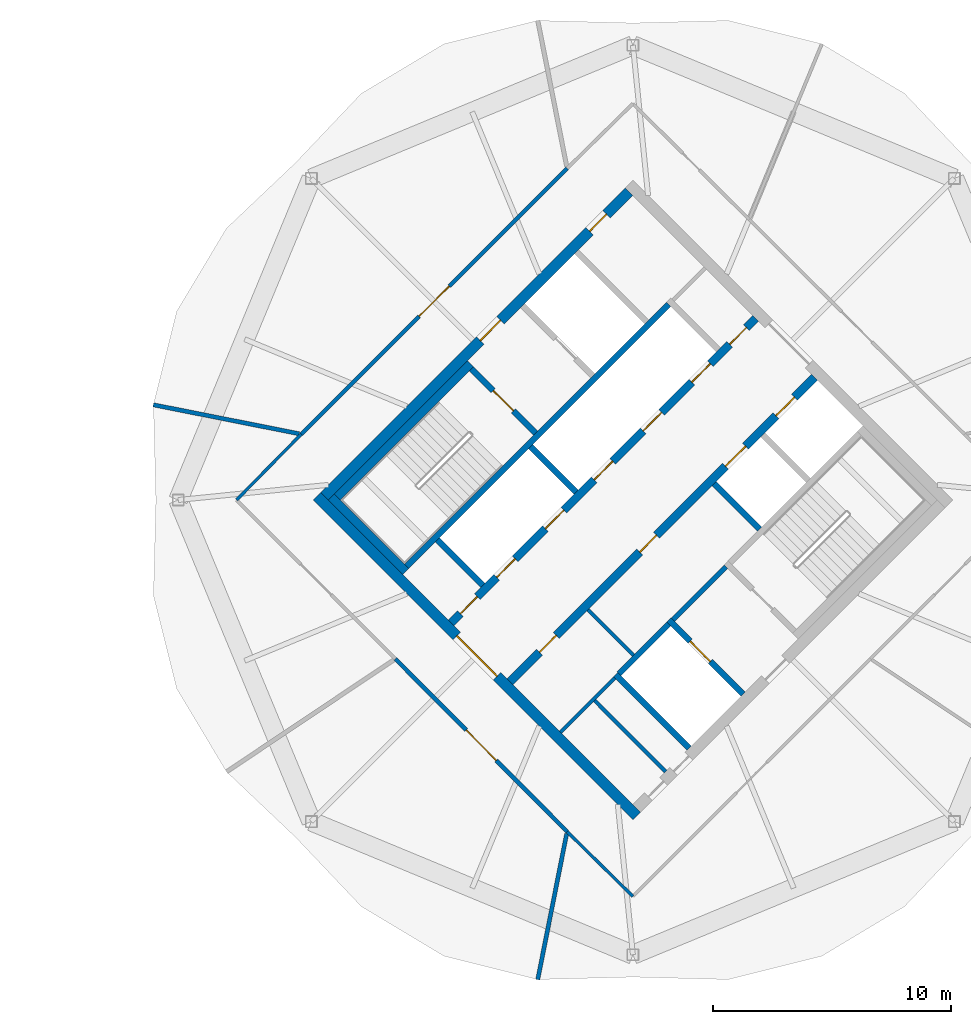
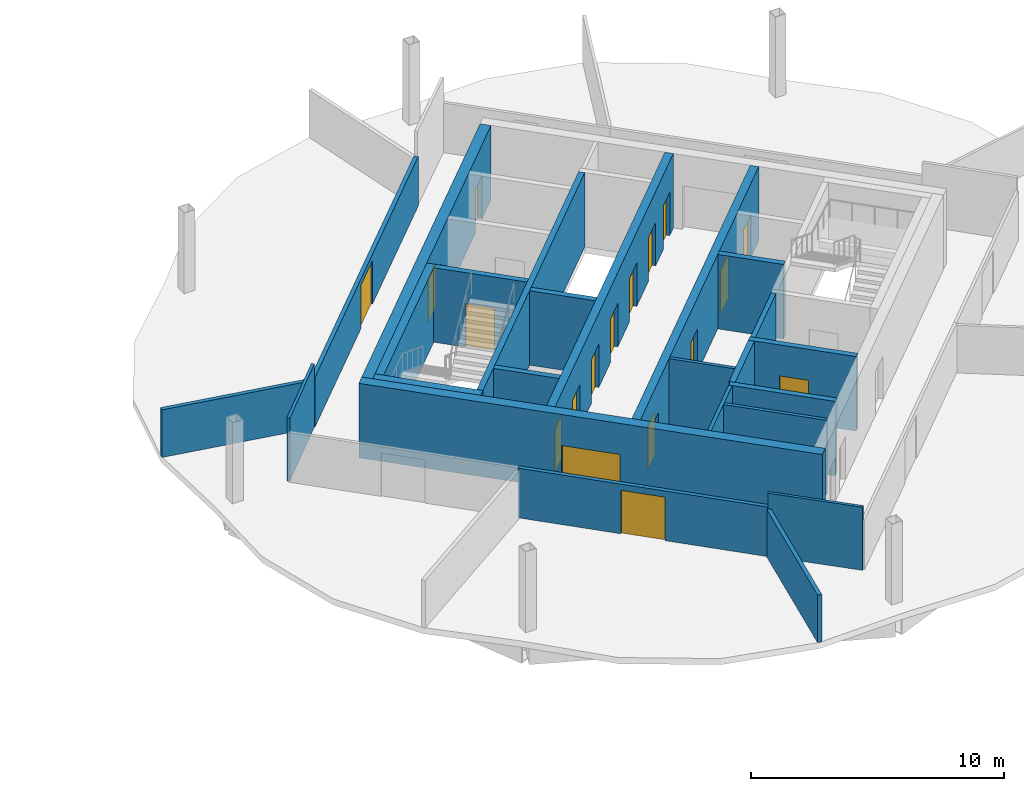
# One storey, part 7 of 10: 24 walls, 18 doors, 18 openings.
"""IFC4 building model written with IfcOpenShell, lengths in metres."""

import ifcopenshell
import ifcopenshell.guid

model = None  # the IFC model being written
_history = None  # IfcOwnerHistory: only IFC2X3 demands one
_inside = {}  # id of a spatial element -> (the spatial element, [elements in it])
_under = {}  # id of a project, library or spatial element -> (it, [spatial elements below it])
_declared = {}  # id of a project -> (the project, [libraries it declares])
_typed = {}  # id of a type object -> (the type object, [elements of that type])
_made_of = {}  # id of a material, layer set ... -> (it, [elements and type objects made of it])


def new_model(schema):
    """Start an empty IFC model of exactly this schema.

    Asked for "IFC4X3", IfcOpenShell would pick the latest addendum, in which some entities
    have other attributes; the version numbers below select the first issue.
    IFC2X3 requires an IfcOwnerHistory on every rooted entity: one is made here for all.
    """
    global model, _history
    if schema == "IFC4X3":
        model = ifcopenshell.file(schema_version=(4, 3, 0, 0))
    else:
        model = ifcopenshell.file(schema=schema)
    _inside.clear()
    _under.clear()
    _declared.clear()
    _typed.clear()
    _made_of.clear()
    _history = None
    if model.schema == "IFC2X3":
        org = make("IfcOrganization", Name="unknown")
        user = make(
            "IfcPersonAndOrganization",
            ThePerson=make("IfcPerson", FamilyName="unknown"),
            TheOrganization=org,
        )
        app = make(
            "IfcApplication",
            ApplicationDeveloper=org,
            Version="unknown",
            ApplicationFullName="unknown",
            ApplicationIdentifier="unknown",
        )
        _history = make(
            "IfcOwnerHistory",
            OwningUser=user,
            OwningApplication=app,
            ChangeAction="ADDED",
            CreationDate=0,
        )
    return model


def make(cls, **values):
    """One entity of the class cls with the attributes given. An attribute that is None is left unset."""
    return model.create_entity(
        cls, **{name: value for name, value in values.items() if value is not None}
    )


def rooted(cls, **values):
    """An entity with a GlobalId (a new one), such as an element, a storey or a relation."""
    return make(cls, GlobalId=ifcopenshell.guid.new(), OwnerHistory=_history, **values)


def si_unit(unit_type, name, prefix=None):
    """IfcSIUnit, for example si_unit("LENGTHUNIT", "METRE", prefix="MILLI")."""
    return make("IfcSIUnit", UnitType=unit_type, Prefix=prefix, Name=name)


def assignment(units):
    """IfcUnitAssignment: the units of a project."""
    return None if units is None else make("IfcUnitAssignment", Units=units)


def point(xyz):
    """IfcCartesianPoint."""
    return None if xyz is None else make("IfcCartesianPoint", Coordinates=xyz)


def direction(xyz):
    """IfcDirection."""
    return None if xyz is None else make("IfcDirection", DirectionRatios=xyz)


def frame(location, z_axis=None, x_axis=None):
    """IfcAxis2Placement3D, a coordinate frame: its origin and axes. An axis left out is left unset."""
    return make(
        "IfcAxis2Placement3D",
        Location=point(location),
        Axis=direction(z_axis),
        RefDirection=direction(x_axis),
    )


def frame_2d(location, x_axis=None):
    """IfcAxis2Placement2D, a coordinate frame in the plane: its origin and x axis."""
    return make(
        "IfcAxis2Placement2D", Location=point(location), RefDirection=direction(x_axis)
    )


def origin():
    """The frame at (0, 0, 0) with its axes left unset."""
    return frame((0.0, 0.0, 0.0))


def place(relative_to, where):
    """IfcLocalPlacement: puts the frame where relative to a parent placement (None: the world)."""
    return make(
        "IfcLocalPlacement", PlacementRelTo=relative_to, RelativePlacement=where
    )


def context(
    kind, dimensions, precision=None, world=None, true_north=None, identifier=None
):
    """IfcGeometricRepresentationContext, for example the 3D "Model" context."""
    return make(
        "IfcGeometricRepresentationContext",
        ContextIdentifier=identifier,
        ContextType=kind,
        CoordinateSpaceDimension=dimensions,
        Precision=precision,
        WorldCoordinateSystem=world,
        TrueNorth=true_north,
    )


def subcontext(parent, identifier, kind, view, scale=None):
    """IfcGeometricRepresentationSubContext, for example "Body" below "Model"."""
    return make(
        "IfcGeometricRepresentationSubContext",
        ContextIdentifier=identifier,
        ContextType=kind,
        ParentContext=parent,
        TargetScale=scale,
        TargetView=view,
    )


def project(units=None, contexts=None):
    """IfcProject with its units and contexts."""
    return rooted(
        "IfcProject",
        Name="project",
        RepresentationContexts=contexts,
        UnitsInContext=assignment(units),
    )


def spatial(cls, under=None, at=None, **own):
    """A site, building, storey or space (cls), placed at a placement, below another one or the project."""
    s = rooted(cls, ObjectPlacement=at, **own)
    if under is not None:
        _under.setdefault(under.id(), (under, []))[1].append(s)
    return s


def profile(cls, at=None, kind="AREA", **sizes):
    """A parametric profile (cls). Its sizes go by their IFC names, for example OverallWidth=200.0."""
    return make(cls, ProfileType=kind, Position=at, **sizes)


def rectangle(**sizes):
    """IfcRectangleProfileDef."""
    return profile("IfcRectangleProfileDef", **sizes)


def extrude(swept, where, along, depth):
    """IfcExtrudedAreaSolid: the profile swept, set in the frame where, extruded along a direction by depth."""
    return make(
        "IfcExtrudedAreaSolid",
        SweptArea=swept,
        Position=where,
        ExtrudedDirection=direction(along),
        Depth=depth,
    )


def shape(context_of_items, identifier, shape_type, items):
    """IfcShapeRepresentation: the items that make up one representation, for example the "Body"."""
    return make(
        "IfcShapeRepresentation",
        ContextOfItems=context_of_items,
        RepresentationIdentifier=identifier,
        RepresentationType=shape_type,
        Items=items,
    )


def material(Name=None, Category=None):
    """IfcMaterial."""
    return make("IfcMaterial", Name=Name, Category=Category)


def layer(
    of_material, thickness, ventilated=None, Name=None, Category=None, Priority=None
):
    """IfcMaterialLayer: one layer of a wall or slab, of a material (None: an air gap)."""
    return make(
        "IfcMaterialLayer",
        Material=of_material,
        LayerThickness=thickness,
        IsVentilated=ventilated,
        Name=Name,
        Category=Category,
        Priority=Priority,
    )


def layer_set(layers, Name=None):
    """IfcMaterialLayerSet."""
    return make("IfcMaterialLayerSet", MaterialLayers=layers, LayerSetName=Name)


def made_of(thing, what):
    """Note that an element or type object is made of a material, layer set ...; save() writes the relation."""
    if what is not None:
        _made_of.setdefault(what.id(), (what, []))[1].append(thing)
    return thing


def type_object(cls, material=None, **own):
    """A type object (cls), such as IfcWallType, which elements share."""
    return made_of(rooted(cls, **own), material)


def element(
    cls,
    number,
    at=None,
    inside=None,
    cuts=None,
    type_object=None,
    material=None,
    context=None,
    identifier="Body",
    shape_type=None,
    held_by="IfcProductDefinitionShape",
    body=None,
    shapes=None,
    **own,
):
    """One element of the class cls, such as IfcWall. Its Tag is "e" and its number.

    at: its placement. inside: the storey or other place that contains it. cuts: it is an
    opening in that element (IfcRelVoidsElement). A single representation is given by context,
    identifier, shape_type and body (its items); several are given by shapes. held_by: the class
    of the entity that holds the representations. save() writes the other relations.
    """
    e = rooted(cls, Tag="e%d" % number, ObjectPlacement=at, **own)
    if body is not None:
        shapes = [shape(context, identifier, shape_type, body)]
    if shapes is not None:
        e.Representation = make(held_by, Representations=shapes)
    if inside is not None:
        _inside.setdefault(inside.id(), (inside, []))[1].append(e)
    if cuts is not None:
        rooted(
            "IfcRelVoidsElement", RelatingBuildingElement=cuts, RelatedOpeningElement=e
        )
    if type_object is not None:
        _typed.setdefault(type_object.id(), (type_object, []))[1].append(e)
    return made_of(e, material)


def fill(opening, filler):
    """IfcRelFillsElement: the door or window that sits in an opening."""
    return rooted(
        "IfcRelFillsElement",
        RelatingOpeningElement=opening,
        RelatedBuildingElement=filler,
    )


def aggregate(whole, parts):
    """IfcRelAggregates: a whole, such as a stair, and the parts it consists of."""
    return rooted("IfcRelAggregates", RelatingObject=whole, RelatedObjects=parts)


def save(model, path):
    """Write the relations noted so far, then the file.

    IfcRelAggregates (storeys below a building ...), IfcRelContainedInSpatialStructure (elements
    in a storey), IfcRelDefinesByType, IfcRelAssociatesMaterial and IfcRelDeclares: one each for
    every whole, place, type object, material and project.
    """
    for whole, parts in _under.values():
        aggregate(whole, parts)
    for where, things in _inside.values():
        rooted(
            "IfcRelContainedInSpatialStructure",
            RelatedElements=things,
            RelatingStructure=where,
        )
    for kind, things in _typed.values():
        rooted("IfcRelDefinesByType", RelatedObjects=things, RelatingType=kind)
    for what, things in _made_of.values():
        rooted("IfcRelAssociatesMaterial", RelatedObjects=things, RelatingMaterial=what)
    for by, libraries in _declared.values():
        rooted("IfcRelDeclares", RelatingContext=by, RelatedDefinitions=libraries)
    model.write(path)


model = new_model("IFC4")

# Units and contexts
model_context = context("Model", 3, precision=1e-05, world=origin(), true_north=direction((0.0, 1.0)))
body_context = subcontext(model_context, "Body", "Model", "MODEL_VIEW")
ifc_project = project(units=[si_unit("LENGTHUNIT", "METRE"), si_unit("AREAUNIT", "SQUARE_METRE"), si_unit("VOLUMEUNIT", "CUBIC_METRE"), si_unit("PLANEANGLEUNIT", "RADIAN"), si_unit("MASSUNIT", "GRAM", prefix="KILO")], contexts=[model_context])

# Site, building, storey
site_placement = place(None, origin())
site = spatial("IfcSite", under=ifc_project, at=site_placement, CompositionType="ELEMENT")
building_placement = place(site_placement, origin())
building = spatial("IfcBuilding", under=site, at=building_placement, Name="Ogive Gate Towers", CompositionType="ELEMENT")
storey_placement = place(building_placement, frame((0.0, 0.0, 232.800048828125)))
storey = spatial("IfcBuildingStorey", under=building, at=storey_placement, Name="L55", CompositionType="ELEMENT", Elevation=232.800048828125)

# Walls
ifc_material_1 = material(Name="Gypsum board acoustic partition")
ifc_layer_1 = layer(ifc_material_1, 0.175048828125)
ifc_layer_set_1 = layer_set([ifc_layer_1], Name="Acoustic partition 175")
wall_type_1 = type_object("IfcWallType", Name="Acoustic partition 175", PredefinedType="PARTITIONING", material=ifc_layer_set_1)
for number, where, z_axis, x_axis, name in (
    (1, (15.843505859375, 4.00048828125, 0.0), (0.0, 0.0, 1.0), (0.98086799922, -0.194674004702, 0.0), "Partition T2-L55-004"),
    (2, (31.99951171875, -20.156494140625, 0.0), (0.0, 0.0, 1.0), (0.194674004702, 0.98086799922, 0.0), "Partition T2-L55-006"),
):
    element("IfcWall", number, at=place(storey_placement, frame(where, z_axis=z_axis, x_axis=x_axis)), inside=storey, type_object=wall_type_1, Name=name, PredefinedType="PARTITIONING", context=body_context, shape_type="SweptSolid", body=[
        extrude(rectangle(XDim=6.251708984375, YDim=0.175048828125, at=frame_2d((3.1259765625, 0.0))), origin(), (0.0, 0.0, 1.0), 2.300048828125),
    ])

# Wall, opening, door
wall_1_placement = place(storey_placement, frame((26.0166015625, -6.677001953125, 0.0), z_axis=(0.0, 0.0, 1.0), x_axis=(0.704921475194, -0.70928535429, 0.0)))
wall_1 = element("IfcWall", 3, at=wall_1_placement, inside=storey, type_object=wall_type_1, Name="Partition T2-L55-010", PredefinedType="PARTITIONING", context=body_context, shape_type="SweptSolid", body=[
    extrude(rectangle(XDim=10.238037109375, YDim=0.175048828125, at=frame_2d((5.119140625, 0.0))), origin(), (0.0, 0.0, 1.0), 2.39990234375),
])
opening_1_placement = place(wall_1_placement, frame((4.218994140625, 0.0, 0.0)))
opening_1 = element("IfcOpeningElement", 4, at=opening_1_placement, cuts=wall_1, Name="Opening T2-L55-D02", PredefinedType="OPENING", context=body_context, shape_type="SweptSolid", body=[
    extrude(rectangle(XDim=1.800048828125, YDim=2.10009765625, at=frame_2d((0.89990234375, 1.050048828125))), frame((0.0, 0.09765625, 0.0), z_axis=(0.0, -1.0, 0.0), x_axis=(1.0, 0.0, 0.0)), (0.0, 0.0, 1.0), 0.195068359375),
])
ifc_material_2 = material(Name="Timber door", Category="wood")
door_type_1 = type_object("IfcDoorType", Name="Door pair 1800", OperationType="NOTDEFINED", PredefinedType="DOOR", material=ifc_material_2)
door_1_placement = place(opening_1_placement, origin())
door_1 = element("IfcDoor", 5, at=door_1_placement, inside=storey, type_object=door_type_1, Name="Door T2-L55-D02", OperationType="DOUBLE_DOOR_DOUBLE_SWING", OverallHeight=2.10009765625, OverallWidth=1.800048828125, PredefinedType="DOOR", context=body_context, shape_type="SweptSolid", body=[
    extrude(rectangle(XDim=1.800048828125, YDim=2.10009765625, at=frame_2d((0.89990234375, 1.050048828125))), frame((0.0, 0.02490234375, 0.0), z_axis=(0.0, -1.0, 0.0), x_axis=(1.0, 0.0, 0.0)), (0.0, 0.0, 1.0), 0.050048828125),
])
fill(opening_1, door_1)

wall_2_placement = place(storey_placement, frame((33.233642578125, 13.938720703125, 0.0), z_axis=(0.0, 0.0, 1.0), x_axis=(-0.707106781187, -0.707106781187, 0.0)))
wall_2 = element("IfcWall", 6, at=wall_2_placement, inside=storey, type_object=wall_type_1, Name="Partition T2-L55-018", PredefinedType="PARTITIONING", context=body_context, shape_type="SweptSolid", body=[
    extrude(rectangle(XDim=15.800048828125, YDim=0.175048828125, at=frame_2d((7.89990234375, 0.0))), origin(), (0.0, 0.0, 1.0), 2.39990234375),
])
opening_2_placement = place(wall_2_placement, frame((7.0, 0.0, 0.0)))
opening_2 = element("IfcOpeningElement", 7, at=opening_2_placement, cuts=wall_2, Name="Opening T2-L55-D07", PredefinedType="OPENING", context=body_context, shape_type="SweptSolid", body=[
    extrude(rectangle(XDim=1.800048828125, YDim=2.10009765625, at=frame_2d((0.89990234375, 1.050048828125))), frame((0.0, 0.09765625, 0.0), z_axis=(0.0, -1.0, 0.0), x_axis=(1.0, 0.0, 0.0)), (0.0, 0.0, 1.0), 0.195068359375),
])
door_2_placement = place(opening_2_placement, origin())
door_2 = element("IfcDoor", 8, at=door_2_placement, inside=storey, type_object=door_type_1, Name="Door T2-L55-D07", OperationType="DOUBLE_DOOR_DOUBLE_SWING", OverallHeight=2.10009765625, OverallWidth=1.800048828125, PredefinedType="DOOR", context=body_context, shape_type="SweptSolid", body=[
    extrude(rectangle(XDim=1.800048828125, YDim=2.10009765625, at=frame_2d((0.89990234375, 1.050048828125))), frame((0.0, 0.02490234375, 0.0), z_axis=(0.0, -1.0, 0.0), x_axis=(1.0, 0.0, 0.0)), (0.0, 0.0, 1.0), 0.050048828125),
])
fill(opening_2, door_2)

# Wall
ifc_material_3 = material(Name="Masonry blockwork", Category="masonry")
ifc_layer_2 = layer(ifc_material_3, 0.199951171875)
ifc_layer_set_2 = layer_set([ifc_layer_2], Name="Blockwork wall 200 mm")
wall_type_2 = type_object("IfcWallType", Name="Blockwork wall 200 mm", PredefinedType="PARTITIONING", material=ifc_layer_set_2)
wall_3_placement = place(storey_placement, frame((37.679443359375, -5.0380859375, 0.0), z_axis=(0.0, 0.0, 1.0), x_axis=(0.707106781187, 0.707106781187, 0.0)))
element("IfcWall", 9, at=wall_3_placement, inside=storey, type_object=wall_type_2, Name="T2 L55 Blockwork wall 200 mm", PredefinedType="PARTITIONING", context=body_context, shape_type="SweptSolid", body=[
    extrude(rectangle(XDim=3.14990234375, YDim=0.199951171875, at=frame_2d((1.574951171875, 0.0))), origin(), (0.0, 0.0, 1.0), 3.599853515625),
])

# Wall, openings, doors
ifc_material_4 = material(Name="Concrete C60/75", Category="concrete")
ifc_layer_3 = layer(ifc_material_4, 0.449951171875)
ifc_layer_set_3 = layer_set([ifc_layer_3], Name="Core wall 450 mm")
wall_type_3 = type_object("IfcWallType", Name="Core wall 450 mm", PredefinedType="SHEAR", material=ifc_layer_set_3)
wall_4_placement = place(storey_placement, frame((23.042236328125, 0.1591796875, 0.0), z_axis=(0.0, 0.0, 1.0), x_axis=(0.707106781187, 0.707106781187, 0.0)))
wall_4 = element("IfcWall", 10, at=wall_4_placement, inside=storey, type_object=wall_type_3, Name="T2 L55 Core wall 450 mm", PredefinedType="SHEAR", context=body_context, shape_type="SweptSolid", body=[
    extrude(rectangle(XDim=18.099853515625, YDim=0.449951171875, at=frame_2d((9.0498046875, 0.0))), origin(), (0.0, 0.0, 1.0), 3.599853515625),
])
opening_3_placement = place(wall_4_placement, frame((9.25, 0.0, 0.0)))
opening_3 = element("IfcOpeningElement", 11, at=opening_3_placement, cuts=wall_4, Name="Opening KD-T2-L55-18", PredefinedType="OPENING", context=body_context, shape_type="SweptSolid", body=[
    extrude(rectangle(XDim=1.199951171875, YDim=2.10009765625, at=frame_2d((0.60009765625, 1.050048828125))), frame((0.0, 0.23486328125, 0.0), z_axis=(0.0, -1.0, 0.0), x_axis=(1.0, 0.0, 0.0)), (0.0, 0.0, 1.0), 0.469970703125),
])
opening_4_placement = place(wall_4_placement, frame((15.75, 0.0, 0.0)))
opening_4 = element("IfcOpeningElement", 12, at=opening_4_placement, cuts=wall_4, Name="Opening KD-T2-L55-20", PredefinedType="OPENING", context=body_context, shape_type="SweptSolid", body=[
    extrude(rectangle(XDim=1.0, YDim=2.10009765625, at=frame_2d((0.5, 1.050048828125))), frame((0.0, 0.23486328125, 0.0), z_axis=(0.0, -1.0, 0.0), x_axis=(1.0, 0.0, 0.0)), (0.0, 0.0, 1.0), 0.469970703125),
])
door_type_2 = type_object("IfcDoorType", Name="Accessible WC door 1000 x 2100", OperationType="NOTDEFINED", PredefinedType="DOOR", material=ifc_material_2)
door_3_placement = place(opening_4_placement, origin())
door_3 = element("IfcDoor", 13, at=door_3_placement, inside=storey, type_object=door_type_2, Name="T2 L55 Core door", OperationType="SINGLE_SWING_LEFT", OverallHeight=2.10009765625, OverallWidth=1.0, PredefinedType="DOOR", context=body_context, shape_type="SweptSolid", body=[
    extrude(rectangle(XDim=1.0, YDim=2.10009765625, at=frame_2d((0.5, 1.050048828125))), frame((0.0, 0.02490234375, 0.0), z_axis=(0.0, -1.0, 0.0), x_axis=(1.0, 0.0, 0.0)), (0.0, 0.0, 1.0), 0.050048828125),
])
fill(opening_4, door_3)
ifc_material_5 = material(Name="Steel fire door", Category="steel")
door_type_3 = type_object("IfcDoorType", Name="Core door FD60S 1200 x 2100", OperationType="NOTDEFINED", PredefinedType="DOOR", material=ifc_material_5)
door_4_placement = place(opening_3_placement, origin())
door_4 = element("IfcDoor", 14, at=door_4_placement, inside=storey, type_object=door_type_3, Name="T2 L55 Fire-fighting lobby door", OperationType="SINGLE_SWING_LEFT", OverallHeight=2.10009765625, OverallWidth=1.199951171875, PredefinedType="DOOR", context=body_context, shape_type="SweptSolid", body=[
    extrude(rectangle(XDim=1.199951171875, YDim=2.10009765625, at=frame_2d((0.60009765625, 1.050048828125))), frame((0.0, 0.02490234375, 0.0), z_axis=(0.0, -1.0, 0.0), x_axis=(1.0, 0.0, 0.0)), (0.0, 0.0, 1.0), 0.050048828125),
])
fill(opening_3, door_4)

# Wall, opening, door
wall_5_placement = place(storey_placement, frame((36.1591796875, -13.27587890625, 0.0), z_axis=(0.0, 0.0, 1.0), x_axis=(-0.707106781187, 0.707106781187, 0.0)))
wall_5 = element("IfcWall", 15, at=wall_5_placement, inside=storey, type_object=wall_type_3, Name="T2 L55 Core wall 450 mm", PredefinedType="SHEAR", context=body_context, shape_type="SweptSolid", body=[
    extrude(rectangle(XDim=19.0, YDim=0.449951171875, at=frame_2d((9.5, 0.0))), origin(), (0.0, 0.0, 1.0), 3.599853515625),
])
opening_5_placement = place(wall_5_placement, frame((8.300048828125, 0.0, 0.0)))
opening_5 = element("IfcOpeningElement", 16, at=opening_5_placement, cuts=wall_5, Name="Opening KD-T2-L55-01", PredefinedType="OPENING", context=body_context, shape_type="SweptSolid", body=[
    extrude(rectangle(XDim=2.39990234375, YDim=2.10009765625, at=frame_2d((1.199951171875, 1.050048828125))), frame((0.0, 0.23486328125, 0.0), z_axis=(0.0, -1.0, 0.0), x_axis=(1.0, 0.0, 0.0)), (0.0, 0.0, 1.0), 0.469970703125),
])
door_type_4 = type_object("IfcDoorType", Name="Core double door FD60S 2400 x 2100", OperationType="DOUBLE_DOOR_SINGLE_SWING", PredefinedType="DOOR", material=ifc_material_5)
door_5_placement = place(opening_5_placement, origin())
door_5 = element("IfcDoor", 17, at=door_5_placement, inside=storey, type_object=door_type_4, Name="T2 L55 Core door double", OperationType="DOUBLE_DOOR_SINGLE_SWING", OverallHeight=2.10009765625, OverallWidth=2.39990234375, PredefinedType="DOOR", context=body_context, shape_type="SweptSolid", body=[
    extrude(rectangle(XDim=2.39990234375, YDim=2.10009765625, at=frame_2d((1.199951171875, 1.050048828125))), frame((0.0, 0.02490234375, 0.0), z_axis=(0.0, -1.0, 0.0), x_axis=(1.0, 0.0, 0.0)), (0.0, 0.0, 1.0), 0.050048828125),
])
fill(opening_5, door_5)

# Walls
ifc_material_6 = material(Name="Gypsum board partition")
ifc_layer_4 = layer(ifc_material_6, 0.125)
ifc_layer_set_4 = layer_set([ifc_layer_4], Name="Partition 125")
wall_type_4 = type_object("IfcWallType", Name="Partition 125", PredefinedType="PARTITIONING", material=ifc_layer_set_4)
for number, where, z_axis, x_axis, name in (
    (18, (22.061279296875, 2.766357421875, 0.0), (0.0, 0.0, 1.0), (-0.701199130072, -0.712965483026, 0.0), "Partition T2-L55-009"),
    (19, (33.233642578125, -13.938720703125, 0.0), (0.0, 0.0, 1.0), (0.712965483026, -0.701199130072, 0.0), "Partition T2-L55-012"),
):
    element("IfcWall", number, at=place(storey_placement, frame(where, z_axis=z_axis, x_axis=x_axis)), inside=storey, type_object=wall_type_4, Name=name, PredefinedType="PARTITIONING", context=body_context, shape_type="SweptSolid", body=[
        extrude(rectangle(XDim=3.880126953125, YDim=0.125, at=frame_2d((1.93994140625, 0.0))), origin(), (0.0, 0.0, 1.0), 3.050048828125),
    ])
ifc_layer_5 = layer(ifc_material_6, 0.14990234375)
ifc_layer_set_5 = layer_set([ifc_layer_5], Name="Room partition 150 mm")
wall_type_5 = type_object("IfcWallType", Name="Room partition 150 mm", PredefinedType="PARTITIONING", material=ifc_layer_set_5)
wall_6_placement = place(storey_placement, frame((32.95947265625, -9.758056640625, 0.0), z_axis=(0.0, 0.0, 1.0), x_axis=(0.707144631829, 0.707068928518, 0.0)))
element("IfcWall", 20, at=wall_6_placement, inside=storey, type_object=wall_type_5, Name="T2 L55 Room partition 150 mm", PredefinedType="PARTITIONING", context=body_context, shape_type="SweptSolid", body=[
    extrude(rectangle(XDim=3.224853515625, YDim=0.14990234375, at=frame_2d((1.6123046875, 0.0))), origin(), (0.0, 0.0, 1.0), 3.599853515625),
])
wall_7_placement = place(storey_placement, frame((37.37890625, -11.419921875, 0.0), z_axis=(0.0, 0.0, 1.0), x_axis=(-0.707077889614, 0.707135671578, 0.0)))
element("IfcWall", 21, at=wall_7_placement, inside=storey, type_object=wall_type_5, Name="T2 L55 Room partition 150 mm", PredefinedType="PARTITIONING", context=body_context, shape_type="SweptSolid", body=[
    extrude(rectangle(XDim=4.22509765625, YDim=0.14990234375, at=frame_2d((2.112548828125, 0.0))), origin(), (0.0, 0.0, 1.0), 3.599853515625),
])
wall_8_placement = place(storey_placement, frame((36.017578125, -6.523193359375, 0.0), z_axis=(0.0, 0.0, 1.0), x_axis=(-0.707106781187, 0.707106781187, 0.0)))
element("IfcWall", 22, at=wall_8_placement, inside=storey, type_object=wall_type_5, Name="T2 L55 Room partition 150 mm", PredefinedType="PARTITIONING", context=body_context, shape_type="SweptSolid", body=[
    extrude(rectangle(XDim=2.699951171875, YDim=0.14990234375, at=frame_2d((1.35009765625, 0.0))), origin(), (0.0, 0.0, 1.0), 3.599853515625),
])
ifc_layer_6 = layer(ifc_material_4, 0.25)
ifc_layer_set_6 = layer_set([ifc_layer_6], Name="Shaft wall 250 mm")
wall_type_6 = type_object("IfcWallType", Name="Shaft wall 250 mm", PredefinedType="SHEAR", material=ifc_layer_set_6)
wall_9_placement = place(storey_placement, frame((35.41650390625, -7.30078125, 0.0), z_axis=(0.0, 0.0, 1.0), x_axis=(0.707148157867, 0.707065402085, 0.0)))
element("IfcWall", 23, at=wall_9_placement, inside=storey, type_object=wall_type_6, Name="T2 L55 Shaft wall 250 mm", PredefinedType="SHEAR", context=body_context, shape_type="SweptSolid", body=[
    extrude(rectangle(XDim=2.9501953125, YDim=0.25, at=frame_2d((1.47509765625, 0.0))), origin(), (0.0, 0.0, 1.0), 3.599853515625),
])
wall_10_placement = place(storey_placement, frame((26.489501953125, -2.793212890625, 0.0), z_axis=(0.0, 0.0, 1.0), x_axis=(0.707098943647, 0.70711461864, 0.0)))
element("IfcWall", 24, at=wall_10_placement, inside=storey, type_object=wall_type_6, Name="T2 L55 Shaft wall 250 mm", PredefinedType="SHEAR", context=body_context, shape_type="SweptSolid", body=[
    extrude(rectangle(XDim=15.5751953125, YDim=0.25, at=frame_2d((7.78759765625, 0.0))), origin(), (0.0, 0.0, 1.0), 3.599853515625),
])
wall_11_placement = place(storey_placement, frame((29.689208984375, -3.588623046875, 0.0), z_axis=(0.0, 0.0, 1.0), x_axis=(-0.707151988282, 0.707061571201, 0.0)))
element("IfcWall", 25, at=wall_11_placement, inside=storey, type_object=wall_type_6, Name="T2 L55 Shaft wall 250 mm", PredefinedType="SHEAR", context=body_context, shape_type="SweptSolid", body=[
    extrude(rectangle(XDim=2.7001953125, YDim=0.25, at=frame_2d((1.35009765625, 0.0))), origin(), (0.0, 0.0, 1.0), 3.599853515625),
])
wall_12_placement = place(storey_placement, frame((38.368896484375, -10.4296875, 0.0), z_axis=(0.0, 0.0, 1.0), x_axis=(-0.707134682099, 0.707078879173, 0.0)))
element("IfcWall", 26, at=wall_12_placement, inside=storey, type_object=wall_type_6, Name="T2 L55 Shaft wall 250 mm", PredefinedType="SHEAR", context=body_context, shape_type="SweptSolid", body=[
    extrude(rectangle(XDim=4.375, YDim=0.25, at=frame_2d((2.1875, 0.0))), origin(), (0.0, 0.0, 1.0), 3.599853515625),
])

# Wall, opening, door
wall_13_placement = place(storey_placement, frame((40.631591796875, -8.1669921875, 0.0), z_axis=(0.0, 0.0, 1.0), x_axis=(-0.707106781187, 0.707106781187, 0.0)))
wall_13 = element("IfcWall", 27, at=wall_13_placement, inside=storey, type_object=wall_type_6, Name="T2 L55 Shaft wall 250 mm", PredefinedType="SHEAR", context=body_context, shape_type="SweptSolid", body=[
    extrude(rectangle(XDim=4.425048828125, YDim=0.25, at=frame_2d((2.21240234375, 0.0))), origin(), (0.0, 0.0, 1.0), 3.599853515625),
])
opening_6_placement = place(wall_13_placement, frame((1.949951171875, 0.0, 0.0)))
opening_6 = element("IfcOpeningElement", 28, at=opening_6_placement, cuts=wall_13, Name="Opening LD-T2-L55-13", PredefinedType="OPENING", context=body_context, shape_type="SweptSolid", body=[
    extrude(rectangle(XDim=1.199951171875, YDim=2.10009765625, at=frame_2d((0.60009765625, 1.050048828125))), frame((0.0, 0.135009765625, 0.0), z_axis=(0.0, -1.0, 0.0), x_axis=(1.0, 0.0, 0.0)), (0.0, 0.0, 1.0), 0.27001953125),
])
ifc_material_7 = material(Name="Stainless steel landing door", Category="steel")
door_type_5 = type_object("IfcDoorType", Name="Landing door 1200 x 2100", OperationType="SLIDING_TO_LEFT", PredefinedType="DOOR", material=ifc_material_7)
door_6_placement = place(opening_6_placement, origin())
door_6 = element("IfcDoor", 29, at=door_6_placement, inside=storey, type_object=door_type_5, Name="T2 L55 Lift landing door FF2", OperationType="SLIDING_TO_LEFT", OverallHeight=2.10009765625, OverallWidth=1.199951171875, PredefinedType="DOOR", context=body_context, shape_type="SweptSolid", body=[
    extrude(rectangle(XDim=1.199951171875, YDim=2.10009765625, at=frame_2d((0.60009765625, 1.050048828125))), frame((0.0, 0.02490234375, 0.0), z_axis=(0.0, -1.0, 0.0), x_axis=(1.0, 0.0, 0.0)), (0.0, 0.0, 1.0), 0.050048828125),
])
fill(opening_6, door_6)

# Wall
wall_14_placement = place(storey_placement, frame((33.613525390625, 0.3359375, 0.0), z_axis=(0.0, 0.0, 1.0), x_axis=(-0.707106781187, 0.707106781187, 0.0)))
element("IfcWall", 30, at=wall_14_placement, inside=storey, type_object=wall_type_6, Name="T2 L55 Shaft wall 250 mm", PredefinedType="SHEAR", context=body_context, shape_type="SweptSolid", body=[
    extrude(rectangle(XDim=2.699951171875, YDim=0.25, at=frame_2d((1.35009765625, 0.0))), origin(), (0.0, 0.0, 1.0), 3.599853515625),
])

# Wall, opening, door
wall_15_placement = place(storey_placement, frame((31.91650390625, 2.810791015625, 0.0), z_axis=(0.0, 0.0, 1.0), x_axis=(-0.707106781187, 0.707106781187, 0.0)))
wall_15 = element("IfcWall", 31, at=wall_15_placement, inside=storey, type_object=wall_type_6, Name="T2 L55 Shaft wall 250 mm", PredefinedType="SHEAR", context=body_context, shape_type="SweptSolid", body=[
    extrude(rectangle(XDim=3.824951171875, YDim=0.25, at=frame_2d((1.91259765625, 0.0))), origin(), (0.0, 0.0, 1.0), 3.599853515625),
])
opening_7_placement = place(wall_15_placement, frame((1.324951171875, 0.0, 0.0)))
opening_7 = element("IfcOpeningElement", 32, at=opening_7_placement, cuts=wall_15, Name="Opening KD-T2-L55-16", PredefinedType="OPENING", context=body_context, shape_type="SweptSolid", body=[
    extrude(rectangle(XDim=1.199951171875, YDim=2.10009765625, at=frame_2d((0.60009765625, 1.050048828125))), frame((0.0, 0.135009765625, 0.0), z_axis=(0.0, -1.0, 0.0), x_axis=(1.0, 0.0, 0.0)), (0.0, 0.0, 1.0), 0.27001953125),
])
door_7_placement = place(opening_7_placement, origin())
door_7 = element("IfcDoor", 33, at=door_7_placement, inside=storey, type_object=door_type_3, Name="T2 L55 Stair door", OperationType="SINGLE_SWING_LEFT", OverallHeight=2.10009765625, OverallWidth=1.199951171875, PredefinedType="DOOR", context=body_context, shape_type="SweptSolid", body=[
    extrude(rectangle(XDim=1.199951171875, YDim=2.10009765625, at=frame_2d((0.60009765625, 1.050048828125))), frame((0.0, 0.02490234375, 0.0), z_axis=(0.0, -1.0, 0.0), x_axis=(1.0, 0.0, 0.0)), (0.0, 0.0, 1.0), 0.050048828125),
])
fill(opening_7, door_7)

# Wall
wall_16_placement = place(storey_placement, frame((41.321044921875, -1.2197265625, 0.0), z_axis=(0.0, 0.0, 1.0), x_axis=(-0.707106781187, 0.707106781187, 0.0)))
element("IfcWall", 34, at=wall_16_placement, inside=storey, type_object=wall_type_6, Name="T2 L55 Shaft wall 250 mm", PredefinedType="SHEAR", context=body_context, shape_type="SweptSolid", body=[
    extrude(rectangle(XDim=2.699951171875, YDim=0.25, at=frame_2d((1.35009765625, 0.0))), origin(), (0.0, 0.0, 1.0), 3.599853515625),
])

# Wall, openings, doors
ifc_layer_7 = layer(ifc_material_4, 0.35009765625)
ifc_layer_set_7 = layer_set([ifc_layer_7], Name="Spine wall 350 mm")
wall_type_7 = type_object("IfcWallType", Name="Spine wall 350 mm", PredefinedType="SHEAR", material=ifc_layer_set_7)
wall_17_placement = place(storey_placement, frame((30.838134765625, -7.63671875, 0.0), z_axis=(0.0, 0.0, 1.0), x_axis=(0.707106781187, 0.707106781187, 0.0)))
wall_17 = element("IfcWall", 35, at=wall_17_placement, inside=storey, type_object=wall_type_7, Name="T2 L55 Spine wall 350 mm", PredefinedType="SHEAR", context=body_context, shape_type="SweptSolid", body=[
    extrude(rectangle(XDim=18.099853515625, YDim=0.35009765625, at=frame_2d((9.0498046875, 0.0))), origin(), (0.0, 0.0, 1.0), 3.599853515625),
])
opening_8_placement = place(wall_17_placement, frame((12.800048828125, 0.0, 0.0)))
opening_8 = element("IfcOpeningElement", 36, at=opening_8_placement, cuts=wall_17, Name="Opening LD-T2-L55-10", PredefinedType="OPENING", context=body_context, shape_type="SweptSolid", body=[
    extrude(rectangle(XDim=1.199951171875, YDim=2.10009765625, at=frame_2d((0.60009765625, 1.050048828125))), frame((0.0, 0.18505859375, 0.0), z_axis=(0.0, -1.0, 0.0), x_axis=(1.0, 0.0, 0.0)), (0.0, 0.0, 1.0), 0.3701171875),
])
opening_9_placement = place(wall_17_placement, frame((15.800048828125, 0.0, 0.0)))
opening_9 = element("IfcOpeningElement", 37, at=opening_9_placement, cuts=wall_17, Name="Opening LD-T2-L55-11", PredefinedType="OPENING", context=body_context, shape_type="SweptSolid", body=[
    extrude(rectangle(XDim=1.10009765625, YDim=2.10009765625, at=frame_2d((0.550048828125, 1.050048828125))), frame((0.0, 0.18505859375, 0.0), z_axis=(0.0, -1.0, 0.0), x_axis=(1.0, 0.0, 0.0)), (0.0, 0.0, 1.0), 0.3701171875),
])
opening_10_placement = place(wall_17_placement, frame((1.75, 0.0, 0.0)))
opening_10 = element("IfcOpeningElement", 38, at=opening_10_placement, cuts=wall_17, Name="Opening KD-T2-L55-14", PredefinedType="OPENING", context=body_context, shape_type="SweptSolid", body=[
    extrude(rectangle(XDim=1.0, YDim=2.10009765625, at=frame_2d((0.5, 1.050048828125))), frame((0.0, 0.18505859375, 0.0), z_axis=(0.0, -1.0, 0.0), x_axis=(1.0, 0.0, 0.0)), (0.0, 0.0, 1.0), 0.3701171875),
])
opening_11_placement = place(wall_17_placement, frame((7.699951171875, 0.0, 0.0)))
opening_11 = element("IfcOpeningElement", 39, at=opening_11_placement, cuts=wall_17, Name="Opening KD-T2-L55-15", PredefinedType="OPENING", context=body_context, shape_type="SweptSolid", body=[
    extrude(rectangle(XDim=1.0, YDim=2.10009765625, at=frame_2d((0.5, 1.050048828125))), frame((0.0, 0.18505859375, 0.0), z_axis=(0.0, -1.0, 0.0), x_axis=(1.0, 0.0, 0.0)), (0.0, 0.0, 1.0), 0.3701171875),
])
door_type_6 = type_object("IfcDoorType", Name="Core door FD60S 1000 x 2100", OperationType="NOTDEFINED", PredefinedType="DOOR", material=ifc_material_5)
door_8_placement = place(opening_10_placement, origin())
door_8 = element("IfcDoor", 40, at=door_8_placement, inside=storey, type_object=door_type_6, Name="T2 L55 Core door", OperationType="SINGLE_SWING_LEFT", OverallHeight=2.10009765625, OverallWidth=1.0, PredefinedType="DOOR", context=body_context, shape_type="SweptSolid", body=[
    extrude(rectangle(XDim=1.0, YDim=2.10009765625, at=frame_2d((0.5, 1.050048828125))), frame((0.0, 0.02490234375, 0.0), z_axis=(0.0, -1.0, 0.0), x_axis=(1.0, 0.0, 0.0)), (0.0, 0.0, 1.0), 0.050048828125),
])
fill(opening_10, door_8)
door_9_placement = place(opening_11_placement, origin())
door_9 = element("IfcDoor", 41, at=door_9_placement, inside=storey, type_object=door_type_6, Name="T2 L55 Core door", OperationType="SINGLE_SWING_RIGHT", OverallHeight=2.10009765625, OverallWidth=1.0, PredefinedType="DOOR", context=body_context, shape_type="SweptSolid", body=[
    extrude(rectangle(XDim=1.0, YDim=2.10009765625, at=frame_2d((0.5, 1.050048828125))), frame((0.0, 0.02490234375, 0.0), z_axis=(0.0, -1.0, 0.0), x_axis=(1.0, 0.0, 0.0)), (0.0, 0.0, 1.0), 0.050048828125),
])
fill(opening_11, door_9)
door_type_7 = type_object("IfcDoorType", Name="Landing door 1100 x 2100", OperationType="SLIDING_TO_LEFT", PredefinedType="DOOR", material=ifc_material_7)
door_10_placement = place(opening_9_placement, origin())
door_10 = element("IfcDoor", 42, at=door_10_placement, inside=storey, type_object=door_type_7, Name="T2 L55 Lift landing door B6", OperationType="SLIDING_TO_LEFT", OverallHeight=2.10009765625, OverallWidth=1.10009765625, PredefinedType="DOOR", context=body_context, shape_type="SweptSolid", body=[
    extrude(rectangle(XDim=1.10009765625, YDim=2.10009765625, at=frame_2d((0.550048828125, 1.050048828125))), frame((0.0, 0.02490234375, 0.0), z_axis=(0.0, -1.0, 0.0), x_axis=(1.0, 0.0, 0.0)), (0.0, 0.0, 1.0), 0.050048828125),
])
fill(opening_9, door_10)
door_11_placement = place(opening_8_placement, origin())
door_11 = element("IfcDoor", 43, at=door_11_placement, inside=storey, type_object=door_type_5, Name="T2 L55 Lift landing door SVC", OperationType="SLIDING_TO_LEFT", OverallHeight=2.10009765625, OverallWidth=1.199951171875, PredefinedType="DOOR", context=body_context, shape_type="SweptSolid", body=[
    extrude(rectangle(XDim=1.199951171875, YDim=2.10009765625, at=frame_2d((0.60009765625, 1.050048828125))), frame((0.0, 0.02490234375, 0.0), z_axis=(0.0, -1.0, 0.0), x_axis=(1.0, 0.0, 0.0)), (0.0, 0.0, 1.0), 0.050048828125),
])
fill(opening_8, door_11)

wall_18_placement = place(storey_placement, frame((28.36328125, -5.161865234375, 0.0), z_axis=(0.0, 0.0, 1.0), x_axis=(0.707106781187, 0.707106781187, 0.0)))
wall_18 = element("IfcWall", 44, at=wall_18_placement, inside=storey, type_object=wall_type_7, Name="T2 L55 Spine wall 350 mm", PredefinedType="SHEAR", context=body_context, shape_type="SweptSolid", body=[
    extrude(rectangle(XDim=18.099853515625, YDim=0.35009765625, at=frame_2d((9.0498046875, 0.0))), origin(), (0.0, 0.0, 1.0), 3.599853515625),
])
opening_12_placement = place(wall_18_placement, frame((0.550048828125, 0.0, 0.0)))
opening_12 = element("IfcOpeningElement", 45, at=opening_12_placement, cuts=wall_18, Name="Opening KD-T2-L55-03", PredefinedType="OPENING", context=body_context, shape_type="SweptSolid", body=[
    extrude(rectangle(XDim=1.0, YDim=2.10009765625, at=frame_2d((0.5, 1.050048828125))), frame((0.0, 0.18505859375, 0.0), z_axis=(0.0, -1.0, 0.0), x_axis=(1.0, 0.0, 0.0)), (0.0, 0.0, 1.0), 0.3701171875),
])
opening_13_placement = place(wall_18_placement, frame((2.699951171875, 0.0, 0.0)))
opening_13 = element("IfcOpeningElement", 46, at=opening_13_placement, cuts=wall_18, Name="Opening LD-T2-L55-04", PredefinedType="OPENING", context=body_context, shape_type="SweptSolid", body=[
    extrude(rectangle(XDim=1.10009765625, YDim=2.10009765625, at=frame_2d((0.550048828125, 1.050048828125))), frame((0.0, 0.18505859375, 0.0), z_axis=(0.0, -1.0, 0.0), x_axis=(1.0, 0.0, 0.0)), (0.0, 0.0, 1.0), 0.3701171875),
])
opening_14_placement = place(wall_18_placement, frame((5.60009765625, 0.0, 0.0)))
opening_14 = element("IfcOpeningElement", 47, at=opening_14_placement, cuts=wall_18, Name="Opening LD-T2-L55-05", PredefinedType="OPENING", context=body_context, shape_type="SweptSolid", body=[
    extrude(rectangle(XDim=1.10009765625, YDim=2.10009765625, at=frame_2d((0.550048828125, 1.050048828125))), frame((0.0, 0.18505859375, 0.0), z_axis=(0.0, -1.0, 0.0), x_axis=(1.0, 0.0, 0.0)), (0.0, 0.0, 1.0), 0.3701171875),
])
opening_15_placement = place(wall_18_placement, frame((8.5, 0.0, 0.0)))
opening_15 = element("IfcOpeningElement", 48, at=opening_15_placement, cuts=wall_18, Name="Opening LD-T2-L55-06", PredefinedType="OPENING", context=body_context, shape_type="SweptSolid", body=[
    extrude(rectangle(XDim=1.10009765625, YDim=2.10009765625, at=frame_2d((0.550048828125, 1.050048828125))), frame((0.0, 0.18505859375, 0.0), z_axis=(0.0, -1.0, 0.0), x_axis=(1.0, 0.0, 0.0)), (0.0, 0.0, 1.0), 0.3701171875),
])
opening_16_placement = place(wall_18_placement, frame((11.39990234375, 0.0, 0.0)))
opening_16 = element("IfcOpeningElement", 49, at=opening_16_placement, cuts=wall_18, Name="Opening LD-T2-L55-07", PredefinedType="OPENING", context=body_context, shape_type="SweptSolid", body=[
    extrude(rectangle(XDim=1.10009765625, YDim=2.10009765625, at=frame_2d((0.550048828125, 1.050048828125))), frame((0.0, 0.18505859375, 0.0), z_axis=(0.0, -1.0, 0.0), x_axis=(1.0, 0.0, 0.0)), (0.0, 0.0, 1.0), 0.3701171875),
])
opening_17_placement = place(wall_18_placement, frame((14.300048828125, 0.0, 0.0)))
opening_17 = element("IfcOpeningElement", 50, at=opening_17_placement, cuts=wall_18, Name="Opening LD-T2-L55-08", PredefinedType="OPENING", context=body_context, shape_type="SweptSolid", body=[
    extrude(rectangle(XDim=1.10009765625, YDim=2.10009765625, at=frame_2d((0.550048828125, 1.050048828125))), frame((0.0, 0.18505859375, 0.0), z_axis=(0.0, -1.0, 0.0), x_axis=(1.0, 0.0, 0.0)), (0.0, 0.0, 1.0), 0.3701171875),
])
opening_18_placement = place(wall_18_placement, frame((16.550048828125, 0.0, 0.0)))
opening_18 = element("IfcOpeningElement", 51, at=opening_18_placement, cuts=wall_18, Name="Opening KD-T2-L55-09", PredefinedType="OPENING", context=body_context, shape_type="SweptSolid", body=[
    extrude(rectangle(XDim=1.0, YDim=2.10009765625, at=frame_2d((0.5, 1.050048828125))), frame((0.0, 0.18505859375, 0.0), z_axis=(0.0, -1.0, 0.0), x_axis=(1.0, 0.0, 0.0)), (0.0, 0.0, 1.0), 0.3701171875),
])
door_12_placement = place(opening_12_placement, origin())
door_12 = element("IfcDoor", 52, at=door_12_placement, inside=storey, type_object=door_type_6, Name="T2 L55 Core door", OperationType="SINGLE_SWING_RIGHT", OverallHeight=2.10009765625, OverallWidth=1.0, PredefinedType="DOOR", context=body_context, shape_type="SweptSolid", body=[
    extrude(rectangle(XDim=1.0, YDim=2.10009765625, at=frame_2d((0.5, 1.050048828125))), frame((0.0, 0.02490234375, 0.0), z_axis=(0.0, -1.0, 0.0), x_axis=(1.0, 0.0, 0.0)), (0.0, 0.0, 1.0), 0.050048828125),
])
fill(opening_12, door_12)
door_13_placement = place(opening_18_placement, origin())
door_13 = element("IfcDoor", 53, at=door_13_placement, inside=storey, type_object=door_type_6, Name="T2 L55 Core door", OperationType="SINGLE_SWING_RIGHT", OverallHeight=2.10009765625, OverallWidth=1.0, PredefinedType="DOOR", context=body_context, shape_type="SweptSolid", body=[
    extrude(rectangle(XDim=1.0, YDim=2.10009765625, at=frame_2d((0.5, 1.050048828125))), frame((0.0, 0.02490234375, 0.0), z_axis=(0.0, -1.0, 0.0), x_axis=(1.0, 0.0, 0.0)), (0.0, 0.0, 1.0), 0.050048828125),
])
fill(opening_18, door_13)
door_14_placement = place(opening_13_placement, origin())
door_14 = element("IfcDoor", 54, at=door_14_placement, inside=storey, type_object=door_type_7, Name="T2 L55 Lift landing door B1", OperationType="SLIDING_TO_LEFT", OverallHeight=2.10009765625, OverallWidth=1.10009765625, PredefinedType="DOOR", context=body_context, shape_type="SweptSolid", body=[
    extrude(rectangle(XDim=1.10009765625, YDim=2.10009765625, at=frame_2d((0.550048828125, 1.050048828125))), frame((0.0, 0.02490234375, 0.0), z_axis=(0.0, -1.0, 0.0), x_axis=(1.0, 0.0, 0.0)), (0.0, 0.0, 1.0), 0.050048828125),
])
fill(opening_13, door_14)
door_15_placement = place(opening_14_placement, origin())
door_15 = element("IfcDoor", 55, at=door_15_placement, inside=storey, type_object=door_type_7, Name="T2 L55 Lift landing door B2", OperationType="SLIDING_TO_LEFT", OverallHeight=2.10009765625, OverallWidth=1.10009765625, PredefinedType="DOOR", context=body_context, shape_type="SweptSolid", body=[
    extrude(rectangle(XDim=1.10009765625, YDim=2.10009765625, at=frame_2d((0.550048828125, 1.050048828125))), frame((0.0, 0.02490234375, 0.0), z_axis=(0.0, -1.0, 0.0), x_axis=(1.0, 0.0, 0.0)), (0.0, 0.0, 1.0), 0.050048828125),
])
fill(opening_14, door_15)
door_16_placement = place(opening_15_placement, origin())
door_16 = element("IfcDoor", 56, at=door_16_placement, inside=storey, type_object=door_type_7, Name="T2 L55 Lift landing door B3", OperationType="SLIDING_TO_LEFT", OverallHeight=2.10009765625, OverallWidth=1.10009765625, PredefinedType="DOOR", context=body_context, shape_type="SweptSolid", body=[
    extrude(rectangle(XDim=1.10009765625, YDim=2.10009765625, at=frame_2d((0.550048828125, 1.050048828125))), frame((0.0, 0.02490234375, 0.0), z_axis=(0.0, -1.0, 0.0), x_axis=(1.0, 0.0, 0.0)), (0.0, 0.0, 1.0), 0.050048828125),
])
fill(opening_15, door_16)
door_17_placement = place(opening_16_placement, origin())
door_17 = element("IfcDoor", 57, at=door_17_placement, inside=storey, type_object=door_type_7, Name="T2 L55 Lift landing door B4", OperationType="SLIDING_TO_LEFT", OverallHeight=2.10009765625, OverallWidth=1.10009765625, PredefinedType="DOOR", context=body_context, shape_type="SweptSolid", body=[
    extrude(rectangle(XDim=1.10009765625, YDim=2.10009765625, at=frame_2d((0.550048828125, 1.050048828125))), frame((0.0, 0.02490234375, 0.0), z_axis=(0.0, -1.0, 0.0), x_axis=(1.0, 0.0, 0.0)), (0.0, 0.0, 1.0), 0.050048828125),
])
fill(opening_16, door_17)
door_18_placement = place(opening_17_placement, origin())
door_18 = element("IfcDoor", 58, at=door_18_placement, inside=storey, type_object=door_type_7, Name="T2 L55 Lift landing door B5", OperationType="SLIDING_TO_LEFT", OverallHeight=2.10009765625, OverallWidth=1.10009765625, PredefinedType="DOOR", context=body_context, shape_type="SweptSolid", body=[
    extrude(rectangle(XDim=1.10009765625, YDim=2.10009765625, at=frame_2d((0.550048828125, 1.050048828125))), frame((0.0, 0.02490234375, 0.0), z_axis=(0.0, -1.0, 0.0), x_axis=(1.0, 0.0, 0.0)), (0.0, 0.0, 1.0), 0.050048828125),
])
fill(opening_17, door_18)

# Walls
ifc_layer_8 = layer(ifc_material_4, 0.35009765625)
ifc_layer_set_8 = layer_set([ifc_layer_8], Name="Stair wall 350 mm")
wall_type_8 = type_object("IfcWallType", Name="Stair wall 350 mm", PredefinedType="SHEAR", material=ifc_layer_set_8)
wall_19_placement = place(storey_placement, frame((23.572509765625, 0.123779296875, 0.0), z_axis=(0.0, 0.0, 1.0), x_axis=(0.707122184046, 0.707091377991, 0.0)))
element("IfcWall", 59, at=wall_19_placement, inside=storey, type_object=wall_type_8, Name="T2 L55 Stair wall 350 mm", PredefinedType="SHEAR", context=body_context, shape_type="SweptSolid", body=[
    extrude(rectangle(XDim=7.925048828125, YDim=0.35009765625, at=frame_2d((3.96240234375, 0.0))), origin(), (0.0, 0.0, 1.0), 3.599853515625),
])
wall_20_placement = place(storey_placement, frame((26.4541015625, -3.005126953125, 0.0), z_axis=(0.0, 0.0, 1.0), x_axis=(-0.707106781187, 0.707106781187, 0.0)))
element("IfcWall", 60, at=wall_20_placement, inside=storey, type_object=wall_type_8, Name="T2 L55 Stair wall 350 mm", PredefinedType="SHEAR", context=body_context, shape_type="SweptSolid", body=[
    extrude(rectangle(XDim=4.425048828125, YDim=0.35009765625, at=frame_2d((2.21240234375, 0.0))), origin(), (0.0, 0.0, 1.0), 3.599853515625),
])

save(model, "model.ifc")
